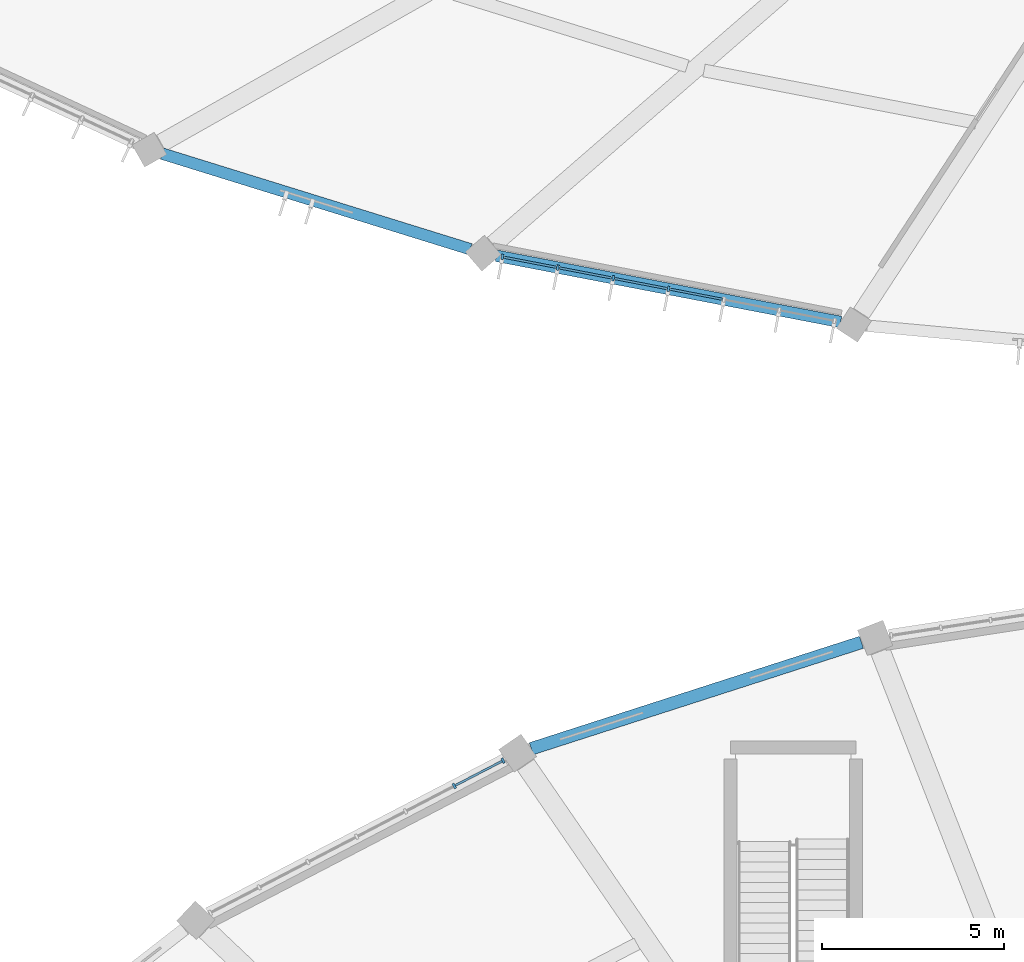
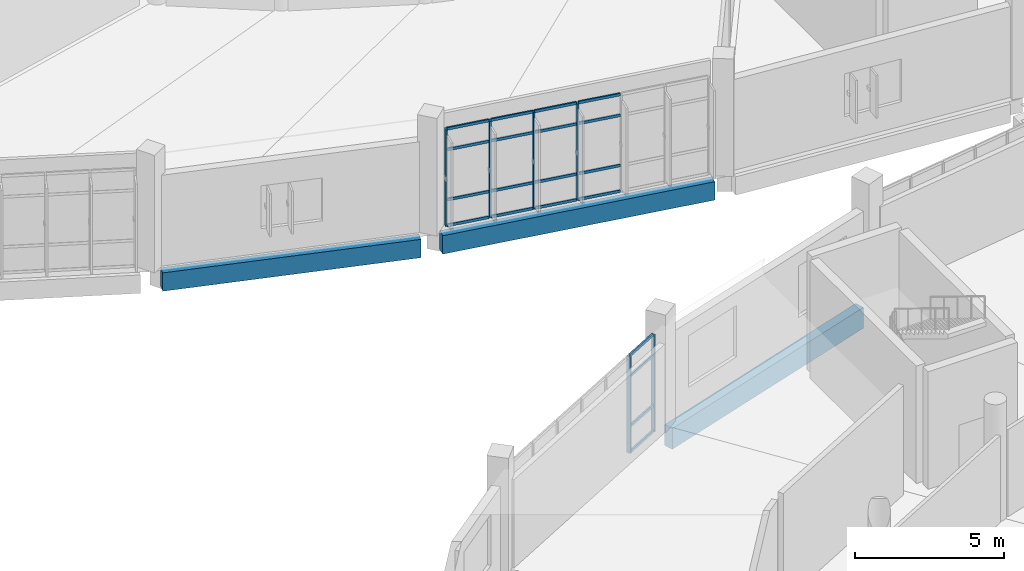
# One storey, part 27 of 179: 26 members, 3 beams, 2 elements without a shape of their own.
"""IFC4 building model written with IfcOpenShell, lengths in metres."""

from ifc_helpers import new_model, si_unit, direction, frame, origin, origin_2d, place, context, subcontext, project, spatial, rectangle, extrude, material, layer, layer_set, material_profile, profile_set, type_object, element, aggregate, save


model = new_model("IFC4")

# Units and contexts
model_context = context("Model", 3, precision=1e-05, world=origin(), true_north=direction((0.0, 1.0)))
body_context = subcontext(model_context, "Body", "Model", "MODEL_VIEW")
ifc_project = project(units=[si_unit("LENGTHUNIT", "METRE"), si_unit("AREAUNIT", "SQUARE_METRE"), si_unit("VOLUMEUNIT", "CUBIC_METRE"), si_unit("PLANEANGLEUNIT", "RADIAN"), si_unit("MASSUNIT", "GRAM", prefix="KILO")], contexts=[model_context])

# Site, building, storey
site_placement = place(None, origin())
site = spatial("IfcSite", under=ifc_project, at=site_placement, CompositionType="ELEMENT")
building_placement = place(site_placement, origin())
building = spatial("IfcBuilding", under=site, at=building_placement, Name="Corvandel Quay Wholesale Market", CompositionType="ELEMENT")
storey_placement = place(building_placement, frame((0.0, 0.0, 6.0)))
storey = spatial("IfcBuildingStorey", under=building, at=storey_placement, Name="L01", CompositionType="ELEMENT", Elevation=6.0)

# Curtain wall, members
ifc_material_1 = material(Name="Bronze anodised aluminium and low-E insulated glazing", Category="aluminium")
ifc_layer_1 = layer(ifc_material_1, 0.14990234375)
ifc_layer_set_1 = layer_set([ifc_layer_1], Name="Bronze anodised aluminium and low-E insulated glazing")
curtain_wall_type_1 = type_object("IfcCurtainWallType", Name="Stick Curtain Wall System CW15 H4350", PredefinedType="NOTDEFINED", material=ifc_layer_set_1)
curtain_wall_1_placement = place(storey_placement, origin())
curtain_wall_1 = element("IfcCurtainWall", 1, at=curtain_wall_1_placement, inside=storey, type_object=curtain_wall_type_1, Name="Curtain Wall CW-0031", PredefinedType="NOTDEFINED")
ifc_material_2 = material(Name="Anodised aluminium 6063-T6", Category="aluminium")
ifc_material_profile_1 = material_profile(ifc_material_2, rectangle(XDim=0.06494140625, YDim=0.14990234375, at=origin_2d()), Name="ALU-MUL-65x150")
ifc_profile_set_1 = profile_set([ifc_material_profile_1], Name="Anodised aluminium 6063-T6")
member_type_1 = type_object("IfcMemberType", Name="Curtain Wall Mullion ML02 65x150", PredefinedType="MULLION", material=ifc_profile_set_1)
member_1_placement = place(storey_placement, frame((88.021728515625, 79.012451171875, 0.0), z_axis=(0.0, 0.0, 1.0), x_axis=(0.887332978338, 0.461129250378, 0.0)))
member_1 = element("IfcMember", 2, at=member_1_placement, type_object=member_type_1, Name="Mullion CW-0031-M00", PredefinedType="MULLION", context=body_context, shape_type="SweptSolid", body=[
    extrude(rectangle(XDim=0.06494140625, YDim=0.14990234375, at=origin_2d()), origin(), (0.0, 0.0, 1.0), 3.949951171875),
])
member_2_placement = place(storey_placement, frame((86.680908203125, 78.315673828125, 0.0), z_axis=(0.0, 0.0, 1.0), x_axis=(0.887332978338, 0.461129250378, 0.0)))
member_2 = element("IfcMember", 3, at=member_2_placement, type_object=member_type_1, Name="Mullion CW-0031-M01", PredefinedType="MULLION", context=body_context, shape_type="SweptSolid", body=[
    extrude(rectangle(XDim=0.06494140625, YDim=0.14990234375, at=origin_2d()), origin(), (0.0, 0.0, 1.0), 3.949951171875),
])

ifc_layer_2 = layer(ifc_material_1, 0.18603515625)
ifc_layer_set_2 = layer_set([ifc_layer_2], Name="Bronze anodised aluminium and low-E insulated glazing")
curtain_wall_type_2 = type_object("IfcCurtainWallType", Name="Stick Curtain Wall System CW28 H5520", PredefinedType="NOTDEFINED", material=ifc_layer_set_2)
curtain_wall_2_placement = place(storey_placement, origin())
curtain_wall_2 = element("IfcCurtainWall", 4, at=curtain_wall_2_placement, inside=storey, type_object=curtain_wall_type_2, Name="Curtain Wall CW-0109", PredefinedType="NOTDEFINED")
member_3_placement = place(storey_placement, frame((88.00439453125, 92.85693359375, 0.0), z_axis=(0.0, 0.0, 1.0), x_axis=(-0.981991701121, 0.188924055984, 0.0)))
member_3 = element("IfcMember", 5, at=member_3_placement, type_object=member_type_1, Name="Mullion CW-0109-M00", PredefinedType="MULLION", context=body_context, shape_type="SweptSolid", body=[
    extrude(rectangle(XDim=0.06494140625, YDim=0.14990234375, at=origin_2d()), origin(), (0.0, 0.0, 1.0), 3.949951171875),
])
member_4_placement = place(storey_placement, frame((89.52587890625, 92.564208984375, 0.0), z_axis=(0.0, 0.0, 1.0), x_axis=(-0.981991701121, 0.188924055984, 0.0)))
member_4 = element("IfcMember", 6, at=member_4_placement, type_object=member_type_1, Name="Mullion CW-0109-M01", PredefinedType="MULLION", context=body_context, shape_type="SweptSolid", body=[
    extrude(rectangle(XDim=0.06494140625, YDim=0.14990234375, at=origin_2d()), origin(), (0.0, 0.0, 1.0), 3.949951171875),
])
member_5_placement = place(storey_placement, frame((91.0478515625, 92.271728515625, 0.0), z_axis=(0.0, 0.0, 1.0), x_axis=(-0.981991701121, 0.188924055984, 0.0)))
member_5 = element("IfcMember", 7, at=member_5_placement, type_object=member_type_1, Name="Mullion CW-0109-M02", PredefinedType="MULLION", context=body_context, shape_type="SweptSolid", body=[
    extrude(rectangle(XDim=0.06494140625, YDim=0.14990234375, at=origin_2d()), origin(), (0.0, 0.0, 1.0), 3.949951171875),
])
member_6_placement = place(storey_placement, frame((92.569580078125, 91.97900390625, 0.0), z_axis=(0.0, 0.0, 1.0), x_axis=(-0.981991701121, 0.188924055984, 0.0)))
member_6 = element("IfcMember", 8, at=member_6_placement, type_object=member_type_1, Name="Mullion CW-0109-M03", PredefinedType="MULLION", context=body_context, shape_type="SweptSolid", body=[
    extrude(rectangle(XDim=0.06494140625, YDim=0.14990234375, at=origin_2d()), origin(), (0.0, 0.0, 1.0), 3.949951171875),
])

# Member
ifc_material_profile_2 = material_profile(ifc_material_2, rectangle(XDim=0.06005859375, YDim=0.110107421875, at=origin_2d()), Name="ALU-TRN-60x110")
ifc_profile_set_2 = profile_set([ifc_material_profile_2], Name="Anodised aluminium 6063-T6")
member_type_2 = type_object("IfcMemberType", Name="Curtain Wall Transom TR02 60x110", PredefinedType="USERDEFINED", material=ifc_profile_set_2)
member_7_placement = place(storey_placement, frame((87.992919921875, 78.99755859375, 0.0), z_axis=(-0.887363258925, -0.461070977953, 0.0), x_axis=(0.461070977953, -0.887363258925, 0.0)))
member_7 = element("IfcMember", 9, at=member_7_placement, type_object=member_type_2, Name="Transom CW-0031-T00-0", ObjectType="TRANSOM", PredefinedType="USERDEFINED", context=body_context, shape_type="SweptSolid", body=[
    extrude(rectangle(XDim=0.06005859375, YDim=0.110107421875, at=origin_2d()), origin(), (0.0, 0.0, 1.0), 1.446044921875),
])

member_8_placement = place(storey_placement, frame((87.992919921875, 78.99755859375, 1.050048828125), z_axis=(-0.887363258925, -0.461070977953, 0.0), x_axis=(0.461070977953, -0.887363258925, 0.0)))
member_8 = element("IfcMember", 10, at=member_8_placement, type_object=member_type_2, Name="Transom CW-0031-T00-1", ObjectType="TRANSOM", PredefinedType="USERDEFINED", context=body_context, shape_type="SweptSolid", body=[
    extrude(rectangle(XDim=0.06005859375, YDim=0.110107421875, at=origin_2d()), origin(), (0.0, 0.0, 1.0), 1.446044921875),
])

member_9_placement = place(storey_placement, frame((87.992919921875, 78.99755859375, 3.10009765625), z_axis=(-0.887363258925, -0.461070977953, 0.0), x_axis=(0.461070977953, -0.887363258925, 0.0)))
member_9 = element("IfcMember", 11, at=member_9_placement, type_object=member_type_2, Name="Transom CW-0031-T00-2", ObjectType="TRANSOM", PredefinedType="USERDEFINED", context=body_context, shape_type="SweptSolid", body=[
    extrude(rectangle(XDim=0.06005859375, YDim=0.110107421875, at=origin_2d()), origin(), (0.0, 0.0, 1.0), 1.446044921875),
])

member_10_placement = place(storey_placement, frame((87.992919921875, 78.99755859375, 3.949951171875), z_axis=(-0.887363258925, -0.461070977953, 0.0), x_axis=(0.461070977953, -0.887363258925, 0.0)))
member_10 = element("IfcMember", 12, at=member_10_placement, type_object=member_type_2, Name="Transom CW-0031-T00-3", ObjectType="TRANSOM", PredefinedType="USERDEFINED", context=body_context, shape_type="SweptSolid", body=[
    extrude(rectangle(XDim=0.06005859375, YDim=0.110107421875, at=origin_2d()), origin(), (0.0, 0.0, 1.0), 1.446044921875),
])

aggregate(curtain_wall_1, [member_1, member_2, member_7, member_8, member_9, member_10])

member_11_placement = place(storey_placement, frame((88.0361328125, 92.850830078125, 0.0), z_axis=(0.982020518786, -0.188774205554, 0.0), x_axis=(0.188774205554, 0.982020518786, 0.0)))
member_11 = element("IfcMember", 13, at=member_11_placement, type_object=member_type_2, Name="Transom CW-0109-T00-0", ObjectType="TRANSOM", PredefinedType="USERDEFINED", context=body_context, shape_type="SweptSolid", body=[
    extrude(rectangle(XDim=0.06005859375, YDim=0.110107421875, at=origin_2d()), origin(), (0.0, 0.0, 1.0), 1.484619140625),
])

member_12_placement = place(storey_placement, frame((88.0361328125, 92.850830078125, 1.050048828125), z_axis=(0.982020518786, -0.188774205554, 0.0), x_axis=(0.188774205554, 0.982020518786, 0.0)))
member_12 = element("IfcMember", 14, at=member_12_placement, type_object=member_type_2, Name="Transom CW-0109-T00-1", ObjectType="TRANSOM", PredefinedType="USERDEFINED", context=body_context, shape_type="SweptSolid", body=[
    extrude(rectangle(XDim=0.06005859375, YDim=0.110107421875, at=origin_2d()), origin(), (0.0, 0.0, 1.0), 1.484619140625),
])

member_13_placement = place(storey_placement, frame((88.0361328125, 92.850830078125, 3.10009765625), z_axis=(0.982020518786, -0.188774205554, 0.0), x_axis=(0.188774205554, 0.982020518786, 0.0)))
member_13 = element("IfcMember", 15, at=member_13_placement, type_object=member_type_2, Name="Transom CW-0109-T00-2", ObjectType="TRANSOM", PredefinedType="USERDEFINED", context=body_context, shape_type="SweptSolid", body=[
    extrude(rectangle(XDim=0.06005859375, YDim=0.110107421875, at=origin_2d()), origin(), (0.0, 0.0, 1.0), 1.484619140625),
])

member_14_placement = place(storey_placement, frame((88.0361328125, 92.850830078125, 3.949951171875), z_axis=(0.982020518786, -0.188774205554, 0.0), x_axis=(0.188774205554, 0.982020518786, 0.0)))
member_14 = element("IfcMember", 16, at=member_14_placement, type_object=member_type_2, Name="Transom CW-0109-T00-3", ObjectType="TRANSOM", PredefinedType="USERDEFINED", context=body_context, shape_type="SweptSolid", body=[
    extrude(rectangle(XDim=0.06005859375, YDim=0.110107421875, at=origin_2d()), origin(), (0.0, 0.0, 1.0), 1.484619140625),
])

member_15_placement = place(storey_placement, frame((89.557861328125, 92.55810546875, 0.0), z_axis=(0.982020518786, -0.188774205554, 0.0), x_axis=(0.188774205554, 0.982020518786, 0.0)))
member_15 = element("IfcMember", 17, at=member_15_placement, type_object=member_type_2, Name="Transom CW-0109-T01-0", ObjectType="TRANSOM", PredefinedType="USERDEFINED", context=body_context, shape_type="SweptSolid", body=[
    extrude(rectangle(XDim=0.06005859375, YDim=0.110107421875, at=origin_2d()), origin(), (0.0, 0.0, 1.0), 1.484619140625),
])

member_16_placement = place(storey_placement, frame((89.557861328125, 92.55810546875, 1.050048828125), z_axis=(0.982020518786, -0.188774205554, 0.0), x_axis=(0.188774205554, 0.982020518786, 0.0)))
member_16 = element("IfcMember", 18, at=member_16_placement, type_object=member_type_2, Name="Transom CW-0109-T01-1", ObjectType="TRANSOM", PredefinedType="USERDEFINED", context=body_context, shape_type="SweptSolid", body=[
    extrude(rectangle(XDim=0.06005859375, YDim=0.110107421875, at=origin_2d()), origin(), (0.0, 0.0, 1.0), 1.484619140625),
])

member_17_placement = place(storey_placement, frame((89.557861328125, 92.55810546875, 3.10009765625), z_axis=(0.982020518786, -0.188774205554, 0.0), x_axis=(0.188774205554, 0.982020518786, 0.0)))
member_17 = element("IfcMember", 19, at=member_17_placement, type_object=member_type_2, Name="Transom CW-0109-T01-2", ObjectType="TRANSOM", PredefinedType="USERDEFINED", context=body_context, shape_type="SweptSolid", body=[
    extrude(rectangle(XDim=0.06005859375, YDim=0.110107421875, at=origin_2d()), origin(), (0.0, 0.0, 1.0), 1.484619140625),
])

member_18_placement = place(storey_placement, frame((89.557861328125, 92.55810546875, 3.949951171875), z_axis=(0.982020518786, -0.188774205554, 0.0), x_axis=(0.188774205554, 0.982020518786, 0.0)))
member_18 = element("IfcMember", 20, at=member_18_placement, type_object=member_type_2, Name="Transom CW-0109-T01-3", ObjectType="TRANSOM", PredefinedType="USERDEFINED", context=body_context, shape_type="SweptSolid", body=[
    extrude(rectangle(XDim=0.06005859375, YDim=0.110107421875, at=origin_2d()), origin(), (0.0, 0.0, 1.0), 1.484619140625),
])

member_19_placement = place(storey_placement, frame((91.07958984375, 92.265380859375, 0.0), z_axis=(0.982020518786, -0.188774205554, 0.0), x_axis=(0.188774205554, 0.982020518786, 0.0)))
member_19 = element("IfcMember", 21, at=member_19_placement, type_object=member_type_2, Name="Transom CW-0109-T02-0", ObjectType="TRANSOM", PredefinedType="USERDEFINED", context=body_context, shape_type="SweptSolid", body=[
    extrude(rectangle(XDim=0.06005859375, YDim=0.110107421875, at=origin_2d()), origin(), (0.0, 0.0, 1.0), 1.484619140625),
])

member_20_placement = place(storey_placement, frame((91.07958984375, 92.265380859375, 1.050048828125), z_axis=(0.982020518786, -0.188774205554, 0.0), x_axis=(0.188774205554, 0.982020518786, 0.0)))
member_20 = element("IfcMember", 22, at=member_20_placement, type_object=member_type_2, Name="Transom CW-0109-T02-1", ObjectType="TRANSOM", PredefinedType="USERDEFINED", context=body_context, shape_type="SweptSolid", body=[
    extrude(rectangle(XDim=0.06005859375, YDim=0.110107421875, at=origin_2d()), origin(), (0.0, 0.0, 1.0), 1.484619140625),
])

member_21_placement = place(storey_placement, frame((91.07958984375, 92.265380859375, 3.10009765625), z_axis=(0.982020518786, -0.188774205554, 0.0), x_axis=(0.188774205554, 0.982020518786, 0.0)))
member_21 = element("IfcMember", 23, at=member_21_placement, type_object=member_type_2, Name="Transom CW-0109-T02-2", ObjectType="TRANSOM", PredefinedType="USERDEFINED", context=body_context, shape_type="SweptSolid", body=[
    extrude(rectangle(XDim=0.06005859375, YDim=0.110107421875, at=origin_2d()), origin(), (0.0, 0.0, 1.0), 1.484619140625),
])

member_22_placement = place(storey_placement, frame((91.07958984375, 92.265380859375, 3.949951171875), z_axis=(0.982020518786, -0.188774205554, 0.0), x_axis=(0.188774205554, 0.982020518786, 0.0)))
member_22 = element("IfcMember", 24, at=member_22_placement, type_object=member_type_2, Name="Transom CW-0109-T02-3", ObjectType="TRANSOM", PredefinedType="USERDEFINED", context=body_context, shape_type="SweptSolid", body=[
    extrude(rectangle(XDim=0.06005859375, YDim=0.110107421875, at=origin_2d()), origin(), (0.0, 0.0, 1.0), 1.484619140625),
])

member_23_placement = place(storey_placement, frame((92.601318359375, 91.972900390625, 0.0), z_axis=(0.98199002349, -0.188932775785, 0.0), x_axis=(0.188932775785, 0.98199002349, 0.0)))
member_23 = element("IfcMember", 25, at=member_23_placement, type_object=member_type_2, Name="Transom CW-0109-T03-0", ObjectType="TRANSOM", PredefinedType="USERDEFINED", context=body_context, shape_type="SweptSolid", body=[
    extrude(rectangle(XDim=0.06005859375, YDim=0.110107421875, at=origin_2d()), origin(), (0.0, 0.0, 1.0), 1.48486328125),
])

member_24_placement = place(storey_placement, frame((92.601318359375, 91.972900390625, 1.050048828125), z_axis=(0.98199002349, -0.188932775785, 0.0), x_axis=(0.188932775785, 0.98199002349, 0.0)))
member_24 = element("IfcMember", 26, at=member_24_placement, type_object=member_type_2, Name="Transom CW-0109-T03-1", ObjectType="TRANSOM", PredefinedType="USERDEFINED", context=body_context, shape_type="SweptSolid", body=[
    extrude(rectangle(XDim=0.06005859375, YDim=0.110107421875, at=origin_2d()), origin(), (0.0, 0.0, 1.0), 1.48486328125),
])

member_25_placement = place(storey_placement, frame((92.601318359375, 91.972900390625, 3.10009765625), z_axis=(0.98199002349, -0.188932775785, 0.0), x_axis=(0.188932775785, 0.98199002349, 0.0)))
member_25 = element("IfcMember", 27, at=member_25_placement, type_object=member_type_2, Name="Transom CW-0109-T03-2", ObjectType="TRANSOM", PredefinedType="USERDEFINED", context=body_context, shape_type="SweptSolid", body=[
    extrude(rectangle(XDim=0.06005859375, YDim=0.110107421875, at=origin_2d()), origin(), (0.0, 0.0, 1.0), 1.48486328125),
])

member_26_placement = place(storey_placement, frame((92.601318359375, 91.972900390625, 3.949951171875), z_axis=(0.98199002349, -0.188932775785, 0.0), x_axis=(0.188932775785, 0.98199002349, 0.0)))
member_26 = element("IfcMember", 28, at=member_26_placement, type_object=member_type_2, Name="Transom CW-0109-T03-3", ObjectType="TRANSOM", PredefinedType="USERDEFINED", context=body_context, shape_type="SweptSolid", body=[
    extrude(rectangle(XDim=0.06005859375, YDim=0.110107421875, at=origin_2d()), origin(), (0.0, 0.0, 1.0), 1.48486328125),
])

aggregate(curtain_wall_2, [member_3, member_4, member_5, member_6, member_11, member_12, member_13, member_14, member_15, member_16, member_17, member_18, member_19, member_20, member_21, member_22, member_23, member_24, member_25, member_26])

# Beams
ifc_material_3 = material(Name="Precast concrete C45/55", Category="concrete")
ifc_material_profile_3 = material_profile(ifc_material_3, rectangle(XDim=0.320068359375, YDim=0.75, at=origin_2d()), Name="PC-SPN-320x750")
ifc_profile_set_3 = profile_set([ifc_material_profile_3], Name="Precast concrete C45/55")
beam_type_1 = type_object("IfcBeamType", Name="Pavilion Precast Spandrel SP02 320x750", PredefinedType="SPANDREL", material=ifc_profile_set_3)
beam_1_placement = place(storey_placement, frame((78.655517578125, 95.6943359375, -0.655029296875), z_axis=(0.955107686462, -0.296258851784, 0.0), x_axis=(0.296258851784, 0.955107686462, 0.0)))
element("IfcBeam", 29, at=beam_1_placement, inside=storey, type_object=beam_type_1, Name="Beam BM-0660", PredefinedType="SPANDREL", context=body_context, shape_type="SweptSolid", body=[
    extrude(rectangle(XDim=0.320068359375, YDim=0.75, at=origin_2d()), origin(), (0.0, 0.0, 1.0), 8.863037109375),
])
beam_2_placement = place(storey_placement, frame((87.83740234375, 92.88916015625, -0.655029296875), z_axis=(0.982001748962, -0.188871821706, 0.0), x_axis=(0.188871821706, 0.982001748962, 0.0)))
element("IfcBeam", 30, at=beam_2_placement, inside=storey, type_object=beam_type_1, Name="Beam BM-0667", PredefinedType="SPANDREL", context=body_context, shape_type="SweptSolid", body=[
    extrude(rectangle(XDim=0.320068359375, YDim=0.75, at=origin_2d()), origin(), (0.0, 0.0, 1.0), 9.637939453125),
])
ifc_material_profile_4 = material_profile(ifc_material_3, rectangle(XDim=0.35009765625, YDim=0.85009765625, at=origin_2d()), Name="PC-SPN-350x850")
ifc_profile_set_4 = profile_set([ifc_material_profile_4], Name="Precast concrete C45/55")
beam_type_2 = type_object("IfcBeamType", Name="Perimeter Precast Spandrel SP01 350x850", PredefinedType="SPANDREL", material=ifc_profile_set_4)
beam_3_placement = place(storey_placement, frame((97.873046875, 82.264892578125, -0.72509765625), z_axis=(-0.95182775773, -0.306633200446, 0.0), x_axis=(0.306633200446, -0.95182775773, 0.0)))
element("IfcBeam", 31, at=beam_3_placement, inside=storey, type_object=beam_type_2, Name="Beam BM-0115", PredefinedType="SPANDREL", context=body_context, shape_type="SweptSolid", body=[
    extrude(rectangle(XDim=0.35009765625, YDim=0.85009765625, at=origin_2d()), origin(), (0.0, 0.0, 1.0), 9.53515625),
])

save(model, "model.ifc")
